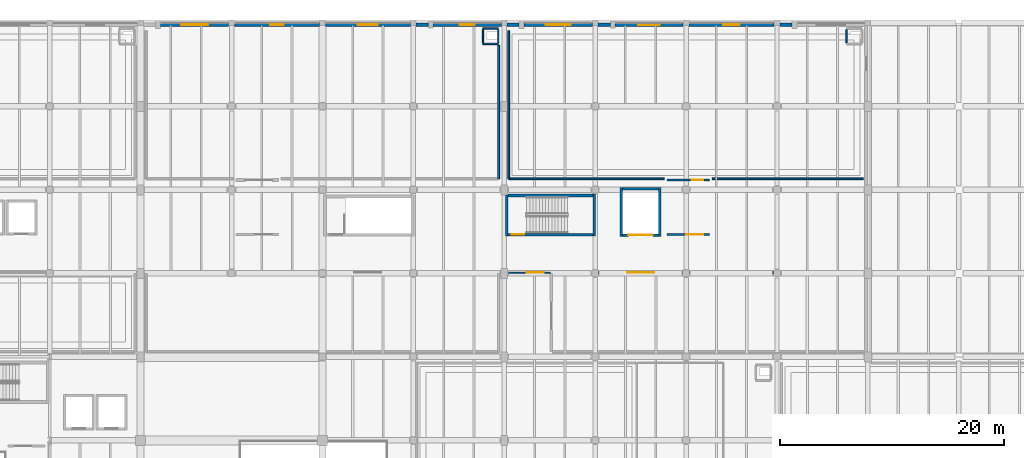
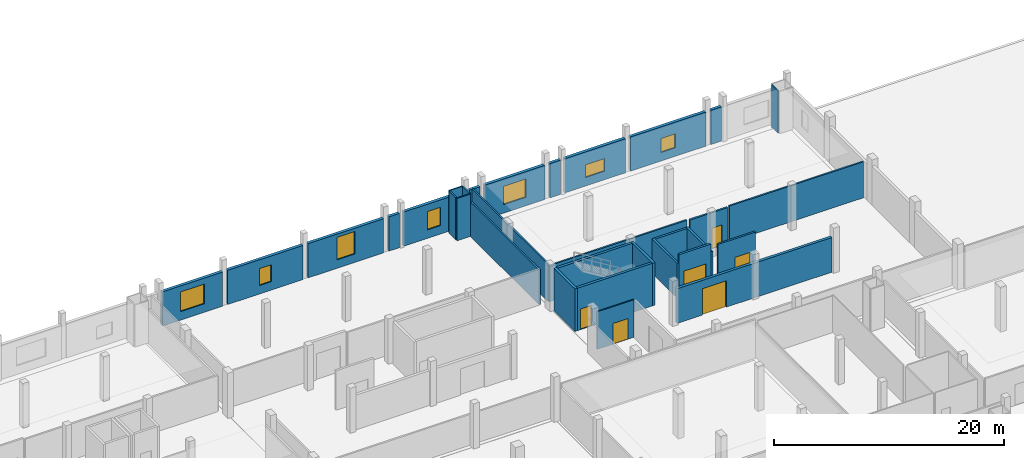
# One storey, part 94 of 104: 32 walls, 7 windows, 6 doors, 13 openings.
"""IFC4 building model written with IfcOpenShell, lengths in metres."""

from ifc_helpers import new_model, si_unit, direction, frame, frame_2d, origin, place, context, subcontext, project, spatial, rectangle, extrude, material, layer, layer_set, type_object, element, fill, save


model = new_model("IFC4")

# Units and contexts
model_context = context("Model", 3, precision=1e-05, world=origin(), true_north=direction((0.0, 1.0)))
body_context = subcontext(model_context, "Body", "Model", "MODEL_VIEW")
ifc_project = project(units=[si_unit("LENGTHUNIT", "METRE"), si_unit("AREAUNIT", "SQUARE_METRE"), si_unit("VOLUMEUNIT", "CUBIC_METRE"), si_unit("PLANEANGLEUNIT", "RADIAN"), si_unit("MASSUNIT", "GRAM", prefix="KILO")], contexts=[model_context])

# Site, building, storey
site_placement = place(None, origin())
site = spatial("IfcSite", under=ifc_project, at=site_placement, CompositionType="ELEMENT")
building_placement = place(site_placement, origin())
building = spatial("IfcBuilding", under=site, at=building_placement, Name="Kaelora Sail Theatre", CompositionType="ELEMENT")
storey_placement = place(building_placement, frame((0.0, 0.0, 5.39990234375)))
storey = spatial("IfcBuildingStorey", under=building, at=storey_placement, Name="L01", CompositionType="ELEMENT", Elevation=5.39990234375)

# Wall, opening, door
ifc_material_1 = material(Name="Concrete C40/50", Category="concrete")
ifc_layer_1 = layer(ifc_material_1, 0.25)
ifc_layer_set_1 = layer_set([ifc_layer_1], Name="Concrete C40/50")
wall_type_1 = type_object("IfcWallType", Name="ARC-WL-CW-250", PredefinedType="SHEAR", material=ifc_layer_set_1)
wall_1_placement = place(storey_placement, frame((99.054931640625, 94.22509765625, 0.0), z_axis=(0.0, 0.0, 1.0), x_axis=(1.0, 0.0, 0.0)))
wall_1 = element("IfcWall", 1, at=wall_1_placement, inside=storey, type_object=wall_type_1, Name="Stair shaft ST-K4 wall L01-S", PredefinedType="SHEAR", context=body_context, shape_type="SweptSolid", body=[
    extrude(rectangle(XDim=7.5400390625, YDim=0.25, at=frame_2d((3.77001953125, 0.0))), origin(), (0.0, 0.0, 1.0), 4.525146484375),
])
opening_1_placement = place(wall_1_placement, frame((0.320068359375, 0.0, 0.0)))
opening_1 = element("IfcOpeningElement", 2, at=opening_1_placement, cuts=wall_1, Name="Opening FD-02", PredefinedType="OPENING", context=body_context, shape_type="SweptSolid", body=[
    extrude(rectangle(XDim=1.10009765625, YDim=2.199951171875, at=frame_2d((0.550048828125, 1.10009765625))), frame((0.0, 0.135, 0.0), z_axis=(0.0, -1.0, 0.0), x_axis=(1.0, 0.0, 0.0)), (0.0, 0.0, 1.0), 0.27),
])
ifc_material_2 = material(Name="Acoustic steel single stair/lobby fire door EI 90-C", Category="steel")
door_type_1 = type_object("IfcDoorType", Name="ARC-DR-FD-02", OperationType="NOTDEFINED", PredefinedType="DOOR", material=ifc_material_2)
door_1_placement = place(opening_1_placement, origin())
door_1 = element("IfcDoor", 3, at=door_1_placement, inside=storey, type_object=door_type_1, Name="Stair ST-K4 door (L01)", OperationType="SINGLE_SWING_RIGHT", OverallHeight=2.199951171875, OverallWidth=1.10009765625, PredefinedType="DOOR", context=body_context, shape_type="SweptSolid", body=[
    extrude(rectangle(XDim=1.10009765625, YDim=2.199951171875, at=frame_2d((0.550048828125, 1.10009765625))), frame((0.0, 0.02490234375, 0.0), z_axis=(0.0, -1.0, 0.0), x_axis=(1.0, 0.0, 0.0)), (0.0, 0.0, 1.0), 0.050048828125),
])
fill(opening_1, door_1)

# Walls
wall_2_placement = place(storey_placement, frame((99.054931640625, 97.72509765625, 0.0), z_axis=(0.0, 0.0, 1.0), x_axis=(1.0, 0.0, 0.0)))
element("IfcWall", 4, at=wall_2_placement, inside=storey, type_object=wall_type_1, Name="Stair shaft ST-K4 wall L01-N", PredefinedType="SHEAR", context=body_context, shape_type="SweptSolid", body=[
    extrude(rectangle(XDim=7.5400390625, YDim=0.25, at=frame_2d((3.77001953125, 0.0))), origin(), (0.0, 0.0, 1.0), 4.525146484375),
])
wall_3_placement = place(storey_placement, frame((98.925048828125, 94.10009765625, 0.0), z_axis=(0.0, 0.0, 1.0), x_axis=(0.0, 1.0, 0.0)))
element("IfcWall", 5, at=wall_3_placement, inside=storey, type_object=wall_type_1, Name="Stair shaft ST-K4 wall L01-W", PredefinedType="SHEAR", context=body_context, shape_type="SweptSolid", body=[
    extrude(rectangle(XDim=3.664794921875, YDim=0.25, at=frame_2d((1.83251953125, 0.0))), origin(), (0.0, 0.0, 1.0), 4.525146484375),
])
wall_4_placement = place(storey_placement, frame((106.72509765625, 94.10009765625, 0.0), z_axis=(0.0, 0.0, 1.0), x_axis=(0.0, 1.0, 0.0)))
element("IfcWall", 6, at=wall_4_placement, inside=storey, type_object=wall_type_1, Name="Stair shaft ST-K4 wall L01-E", PredefinedType="SHEAR", context=body_context, shape_type="SweptSolid", body=[
    extrude(rectangle(XDim=3.75, YDim=0.25, at=frame_2d((1.875, 0.0))), origin(), (0.0, 0.0, 1.0), 4.525146484375),
])

# Wall, opening, window
ifc_material_3 = material(Name="Concrete C40/50", Category="concrete")
ifc_layer_2 = layer(ifc_material_3, 0.300048828125)
ifc_layer_set_2 = layer_set([ifc_layer_2], Name="Concrete C40/50")
wall_type_2 = type_object("IfcWallType", Name="ARC-WL-EW-300", PredefinedType="SOLIDWALL", material=ifc_layer_set_2)
wall_5_placement = place(storey_placement, frame((68.080078125, 112.919921875, 0.0), z_axis=(0.0, 0.0, 1.0), x_axis=(1.0, 0.0, 0.0)))
wall_5 = element("IfcWall", 7, at=wall_5_placement, inside=storey, type_object=wall_type_2, Name="North Conservatory/Production Facade Wall L01 B09", PredefinedType="SOLIDWALL", context=body_context, shape_type="SweptSolid", body=[
    extrude(rectangle(XDim=6.06494140625, YDim=0.300048828125, at=frame_2d((3.032470703125, 0.0))), origin(), (0.0, 0.0, 1.0), 3.63720703125),
])
opening_2_placement = place(wall_5_placement, frame((1.83203125, 0.0, 0.89990234375)))
opening_2 = element("IfcOpeningElement", 8, at=opening_2_placement, cuts=wall_5, Name="Opening W-02", PredefinedType="OPENING", context=body_context, shape_type="SweptSolid", body=[
    extrude(rectangle(XDim=2.39990234375, YDim=2.10009765625, at=frame_2d((1.199951171875, 1.050048828125))), frame((0.0, 0.159902, 0.0), z_axis=(0.0, -1.0, 0.0), x_axis=(1.0, 0.0, 0.0)), (0.0, 0.0, 1.0), 0.320049),
])
ifc_material_4 = material(Name="Thermally broken aluminium and low-E double glazing", Category="aluminium")
window_type_1 = type_object("IfcWindowType", Name="ARC-WIN-W-02", PartitioningType="SINGLE_PANEL", PredefinedType="WINDOW", material=ifc_material_4)
window_1_placement = place(opening_2_placement, origin())
window_1 = element("IfcWindow", 9, at=window_1_placement, inside=storey, type_object=window_type_1, Name="North facade window L01 B09", OverallHeight=2.10009765625, OverallWidth=2.39990234375, PartitioningType="SINGLE_PANEL", PredefinedType="WINDOW", context=body_context, shape_type="SweptSolid", body=[
    extrude(rectangle(XDim=2.39990234375, YDim=2.10009765625, at=frame_2d((1.199951171875, 1.050048828125))), frame((0.0, 0.030029296875, 0.0), z_axis=(0.0, -1.0, 0.0), x_axis=(1.0, 0.0, 0.0)), (0.0, 0.0, 1.0), 0.06005859375),
])
fill(opening_2, window_1)

wall_6_placement = place(storey_placement, frame((74.655029296875, 112.919921875, 0.0), z_axis=(0.0, 0.0, 1.0), x_axis=(1.0, 0.0, 0.0)))
wall_6 = element("IfcWall", 10, at=wall_6_placement, inside=storey, type_object=wall_type_2, Name="North Conservatory/Production Facade Wall L01 B10", PredefinedType="SOLIDWALL", context=body_context, shape_type="SweptSolid", body=[
    extrude(rectangle(XDim=7.590087890625, YDim=0.300048828125, at=frame_2d((3.794921875, 0.0))), origin(), (0.0, 0.0, 1.0), 3.63720703125),
])
opening_3_placement = place(wall_6_placement, frame((3.195068359375, 0.0, 0.89990234375)))
opening_3 = element("IfcOpeningElement", 11, at=opening_3_placement, cuts=wall_6, Name="Opening W-05", PredefinedType="OPENING", context=body_context, shape_type="SweptSolid", body=[
    extrude(rectangle(XDim=1.199951171875, YDim=1.800048828125, at=frame_2d((0.60009765625, 0.89990234375))), frame((0.0, 0.159902, 0.0), z_axis=(0.0, -1.0, 0.0), x_axis=(1.0, 0.0, 0.0)), (0.0, 0.0, 1.0), 0.320049),
])
ifc_material_5 = material(Name="Thermally broken aluminium and low-E double glazing", Category="aluminium")
window_type_2 = type_object("IfcWindowType", Name="ARC-WIN-W-05", PartitioningType="SINGLE_PANEL", PredefinedType="WINDOW", material=ifc_material_5)
window_2_placement = place(opening_3_placement, origin())
window_2 = element("IfcWindow", 12, at=window_2_placement, inside=storey, type_object=window_type_2, Name="North facade window L01 B10", OverallHeight=1.800048828125, OverallWidth=1.199951171875, PartitioningType="SINGLE_PANEL", PredefinedType="WINDOW", context=body_context, shape_type="SweptSolid", body=[
    extrude(rectangle(XDim=1.199951171875, YDim=1.800048828125, at=frame_2d((0.60009765625, 0.89990234375))), frame((0.0, 0.030029296875, 0.0), z_axis=(0.0, -1.0, 0.0), x_axis=(1.0, 0.0, 0.0)), (0.0, 0.0, 1.0), 0.06005859375),
])
fill(opening_3, window_2)

wall_7_placement = place(storey_placement, frame((82.7548828125, 112.919921875, 0.0), z_axis=(0.0, 0.0, 1.0), x_axis=(1.0, 0.0, 0.0)))
wall_7 = element("IfcWall", 13, at=wall_7_placement, inside=storey, type_object=wall_type_2, Name="North Conservatory/Production Facade Wall L01 B11", PredefinedType="SOLIDWALL", context=body_context, shape_type="SweptSolid", body=[
    extrude(rectangle(XDim=7.590087890625, YDim=0.300048828125, at=frame_2d((3.794921875, 0.0))), origin(), (0.0, 0.0, 1.0), 3.63720703125),
])
opening_4_placement = place(wall_7_placement, frame((2.89501953125, 0.0, 0.89990234375)))
opening_4 = element("IfcOpeningElement", 14, at=opening_4_placement, cuts=wall_7, Name="Opening W-08", PredefinedType="OPENING", context=body_context, shape_type="SweptSolid", body=[
    extrude(rectangle(XDim=1.800048828125, YDim=2.39990234375, at=frame_2d((0.89990234375, 1.199951171875))), frame((0.0, 0.159902, 0.0), z_axis=(0.0, -1.0, 0.0), x_axis=(1.0, 0.0, 0.0)), (0.0, 0.0, 1.0), 0.320049),
])
ifc_material_6 = material(Name="Thermally broken aluminium and low-E double glazing", Category="aluminium")
window_type_3 = type_object("IfcWindowType", Name="ARC-WIN-W-08", PartitioningType="SINGLE_PANEL", PredefinedType="WINDOW", material=ifc_material_6)
window_3_placement = place(opening_4_placement, origin())
window_3 = element("IfcWindow", 15, at=window_3_placement, inside=storey, type_object=window_type_3, Name="North facade window L01 B11", OverallHeight=2.39990234375, OverallWidth=1.800048828125, PartitioningType="SINGLE_PANEL", PredefinedType="WINDOW", context=body_context, shape_type="SweptSolid", body=[
    extrude(rectangle(XDim=1.800048828125, YDim=2.39990234375, at=frame_2d((0.89990234375, 1.199951171875))), frame((0.0, 0.030029296875, 0.0), z_axis=(0.0, -1.0, 0.0), x_axis=(1.0, 0.0, 0.0)), (0.0, 0.0, 1.0), 0.06005859375),
])
fill(opening_4, window_3)

wall_8_placement = place(storey_placement, frame((92.35498046875, 112.919921875, 0.0), z_axis=(0.0, 0.0, 1.0), x_axis=(1.0, 0.0, 0.0)))
wall_8 = element("IfcWall", 16, at=wall_8_placement, inside=storey, type_object=wall_type_2, Name="North Conservatory/Production Facade Wall L01 B12", PredefinedType="SOLIDWALL", context=body_context, shape_type="SweptSolid", body=[
    extrude(rectangle(XDim=6.090087890625, YDim=0.300048828125, at=frame_2d((3.044921875, 0.0))), origin(), (0.0, 0.0, 1.0), 3.63720703125),
])
opening_5_placement = place(wall_8_placement, frame((2.3701171875, 0.0, 0.89990234375)))
opening_5 = element("IfcOpeningElement", 17, at=opening_5_placement, cuts=wall_8, Name="Opening W-13", PredefinedType="OPENING", context=body_context, shape_type="SweptSolid", body=[
    extrude(rectangle(XDim=1.35009765625, YDim=1.949951171875, at=frame_2d((0.675048828125, 0.97509765625))), frame((0.0, 0.159902, 0.0), z_axis=(0.0, -1.0, 0.0), x_axis=(1.0, 0.0, 0.0)), (0.0, 0.0, 1.0), 0.320049),
])
ifc_material_7 = material(Name="Thermally broken aluminium and low-E double glazing", Category="aluminium")
window_type_4 = type_object("IfcWindowType", Name="ARC-WIN-W-13", PartitioningType="SINGLE_PANEL", PredefinedType="WINDOW", material=ifc_material_7)
window_4_placement = place(opening_5_placement, origin())
window_4 = element("IfcWindow", 18, at=window_4_placement, inside=storey, type_object=window_type_4, Name="North facade window L01 B12", OverallHeight=1.949951171875, OverallWidth=1.35009765625, PartitioningType="SINGLE_PANEL", PredefinedType="WINDOW", context=body_context, shape_type="SweptSolid", body=[
    extrude(rectangle(XDim=1.35009765625, YDim=1.949951171875, at=frame_2d((0.675048828125, 0.97509765625))), frame((0.0, 0.030029296875, 0.0), z_axis=(0.0, -1.0, 0.0), x_axis=(1.0, 0.0, 0.0)), (0.0, 0.0, 1.0), 0.06005859375),
])
fill(opening_5, window_4)

# Wall
wall_9_placement = place(storey_placement, frame((90.85498046875, 112.919921875, 0.0), z_axis=(0.0, 0.0, 1.0), x_axis=(1.0, 0.0, 0.0)))
element("IfcWall", 19, at=wall_9_placement, inside=storey, type_object=wall_type_2, Name="North Facade Pilaster Spandrel Pier L01 B12", PredefinedType="SOLIDWALL", context=body_context, shape_type="SweptSolid", body=[
    extrude(rectangle(XDim=1.090087890625, YDim=0.300048828125, at=frame_2d((0.544921875, 0.0))), origin(), (0.0, 0.0, 1.0), 3.63720703125),
])

# Wall, opening, window
wall_10_placement = place(storey_placement, frame((100.47998046875, 112.919921875, 0.0), z_axis=(0.0, 0.0, 1.0), x_axis=(1.0, 0.0, 0.0)))
wall_10 = element("IfcWall", 20, at=wall_10_placement, inside=storey, type_object=wall_type_2, Name="North Conservatory/Production Facade Wall L01 B13", PredefinedType="SOLIDWALL", context=body_context, shape_type="SweptSolid", body=[
    extrude(rectangle(XDim=6.06494140625, YDim=0.300048828125, at=frame_2d((3.032470703125, 0.0))), origin(), (0.0, 0.0, 1.0), 3.63720703125),
])
opening_6_placement = place(wall_10_placement, frame((1.906982421875, 0.0, 0.89990234375)))
opening_6 = element("IfcOpeningElement", 21, at=opening_6_placement, cuts=wall_10, Name="Opening W-16", PredefinedType="OPENING", context=body_context, shape_type="SweptSolid", body=[
    extrude(rectangle(XDim=2.25, YDim=1.949951171875, at=frame_2d((1.125, 0.97509765625))), frame((0.0, 0.159902, 0.0), z_axis=(0.0, -1.0, 0.0), x_axis=(1.0, 0.0, 0.0)), (0.0, 0.0, 1.0), 0.320049),
])
ifc_material_8 = material(Name="Thermally broken aluminium and low-E double glazing", Category="aluminium")
window_type_5 = type_object("IfcWindowType", Name="ARC-WIN-W-16", PartitioningType="SINGLE_PANEL", PredefinedType="WINDOW", material=ifc_material_8)
window_5_placement = place(opening_6_placement, origin())
window_5 = element("IfcWindow", 22, at=window_5_placement, inside=storey, type_object=window_type_5, Name="North facade window L01 B13", OverallHeight=1.949951171875, OverallWidth=2.25, PartitioningType="SINGLE_PANEL", PredefinedType="WINDOW", context=body_context, shape_type="SweptSolid", body=[
    extrude(rectangle(XDim=2.25, YDim=1.949951171875, at=frame_2d((1.125, 0.97509765625))), frame((0.0, 0.030029296875, 0.0), z_axis=(0.0, -1.0, 0.0), x_axis=(1.0, 0.0, 0.0)), (0.0, 0.0, 1.0), 0.06005859375),
])
fill(opening_6, window_5)

# Wall
wall_11_placement = place(storey_placement, frame((98.955078125, 112.919921875, 0.0), z_axis=(0.0, 0.0, 1.0), x_axis=(1.0, 0.0, 0.0)))
element("IfcWall", 23, at=wall_11_placement, inside=storey, type_object=wall_type_2, Name="North Facade Pilaster Spandrel Pier L01 B13", PredefinedType="SOLIDWALL", context=body_context, shape_type="SweptSolid", body=[
    extrude(rectangle(XDim=1.06494140625, YDim=0.300048828125, at=frame_2d((0.532470703125, 0.0))), origin(), (0.0, 0.0, 1.0), 3.63720703125),
])

# Wall, opening, window
wall_12_placement = place(storey_placement, frame((108.554931640625, 112.919921875, 0.0), z_axis=(0.0, 0.0, 1.0), x_axis=(1.0, 0.0, 0.0)))
wall_12 = element("IfcWall", 24, at=wall_12_placement, inside=storey, type_object=wall_type_2, Name="North Conservatory/Production Facade Wall L01 B14", PredefinedType="SOLIDWALL", context=body_context, shape_type="SweptSolid", body=[
    extrude(rectangle(XDim=6.090087890625, YDim=0.300048828125, at=frame_2d((3.044921875, 0.0))), origin(), (0.0, 0.0, 1.0), 3.63720703125),
])
opening_7_placement = place(wall_12_placement, frame((2.094970703125, 0.0, 0.89990234375)))
opening_7 = element("IfcOpeningElement", 25, at=opening_7_placement, cuts=wall_12, Name="Opening W-19", PredefinedType="OPENING", context=body_context, shape_type="SweptSolid", body=[
    extrude(rectangle(XDim=1.89990234375, YDim=1.35009765625, at=frame_2d((0.949951171875, 0.675048828125))), frame((0.0, 0.159902, 0.0), z_axis=(0.0, -1.0, 0.0), x_axis=(1.0, 0.0, 0.0)), (0.0, 0.0, 1.0), 0.320049),
])
ifc_material_9 = material(Name="Thermally broken aluminium and low-E double glazing", Category="aluminium")
window_type_6 = type_object("IfcWindowType", Name="ARC-WIN-W-19", PartitioningType="SINGLE_PANEL", PredefinedType="WINDOW", material=ifc_material_9)
window_6_placement = place(opening_7_placement, origin())
window_6 = element("IfcWindow", 26, at=window_6_placement, inside=storey, type_object=window_type_6, Name="North facade window L01 B14", OverallHeight=1.35009765625, OverallWidth=1.89990234375, PartitioningType="SINGLE_PANEL", PredefinedType="WINDOW", context=body_context, shape_type="SweptSolid", body=[
    extrude(rectangle(XDim=1.89990234375, YDim=1.35009765625, at=frame_2d((0.949951171875, 0.675048828125))), frame((0.0, 0.030029296875, 0.0), z_axis=(0.0, -1.0, 0.0), x_axis=(1.0, 0.0, 0.0)), (0.0, 0.0, 1.0), 0.06005859375),
])
fill(opening_7, window_6)

# Wall
wall_13_placement = place(storey_placement, frame((107.054931640625, 112.919921875, 0.0), z_axis=(0.0, 0.0, 1.0), x_axis=(1.0, 0.0, 0.0)))
element("IfcWall", 27, at=wall_13_placement, inside=storey, type_object=wall_type_2, Name="North Facade Pilaster Spandrel Pier L01 B14", PredefinedType="SOLIDWALL", context=body_context, shape_type="SweptSolid", body=[
    extrude(rectangle(XDim=1.090087890625, YDim=0.300048828125, at=frame_2d((0.544921875, 0.0))), origin(), (0.0, 0.0, 1.0), 3.63720703125),
])

# Wall, opening, window
wall_14_placement = place(storey_placement, frame((115.155029296875, 112.919921875, 0.0), z_axis=(0.0, 0.0, 1.0), x_axis=(1.0, 0.0, 0.0)))
wall_14 = element("IfcWall", 28, at=wall_14_placement, inside=storey, type_object=wall_type_2, Name="North Conservatory/Production Facade Wall L01 B15", PredefinedType="SOLIDWALL", context=body_context, shape_type="SweptSolid", body=[
    extrude(rectangle(XDim=7.590087890625, YDim=0.300048828125, at=frame_2d((3.794921875, 0.0))), origin(), (0.0, 0.0, 1.0), 3.63720703125),
])
opening_8_placement = place(wall_14_placement, frame((3.070068359375, 0.0, 0.89990234375)))
opening_8 = element("IfcOpeningElement", 29, at=opening_8_placement, cuts=wall_14, Name="Opening W-22", PredefinedType="OPENING", context=body_context, shape_type="SweptSolid", body=[
    extrude(rectangle(XDim=1.449951171875, YDim=1.5, at=frame_2d((0.72509765625, 0.75))), frame((0.0, 0.159902, 0.0), z_axis=(0.0, -1.0, 0.0), x_axis=(1.0, 0.0, 0.0)), (0.0, 0.0, 1.0), 0.320049),
])
ifc_material_10 = material(Name="Thermally broken aluminium and low-E double glazing", Category="aluminium")
window_type_7 = type_object("IfcWindowType", Name="ARC-WIN-W-22", PartitioningType="SINGLE_PANEL", PredefinedType="WINDOW", material=ifc_material_10)
window_7_placement = place(opening_8_placement, origin())
window_7 = element("IfcWindow", 30, at=window_7_placement, inside=storey, type_object=window_type_7, Name="North facade window L01 B15", OverallHeight=1.5, OverallWidth=1.449951171875, PartitioningType="SINGLE_PANEL", PredefinedType="WINDOW", context=body_context, shape_type="SweptSolid", body=[
    extrude(rectangle(XDim=1.449951171875, YDim=1.5, at=frame_2d((0.72509765625, 0.75))), frame((0.0, 0.030029296875, 0.0), z_axis=(0.0, -1.0, 0.0), x_axis=(1.0, 0.0, 0.0)), (0.0, 0.0, 1.0), 0.06005859375),
])
fill(opening_8, window_7)

# Walls
wall_15_placement = place(storey_placement, frame((123.2548828125, 112.919921875, 0.0), z_axis=(0.0, 0.0, 1.0), x_axis=(1.0, 0.0, 0.0)))
element("IfcWall", 31, at=wall_15_placement, inside=storey, type_object=wall_type_2, Name="North Facade Pilaster Spandrel Pier L01 B16", PredefinedType="SOLIDWALL", context=body_context, shape_type="SweptSolid", body=[
    extrude(rectangle(XDim=1.065185546875, YDim=0.300048828125, at=frame_2d((0.53271484375, 0.0))), origin(), (0.0, 0.0, 1.0), 3.63720703125),
])
ifc_material_11 = material(Name="Standard metal-stud partition 120 mm", Category="gypsum")
ifc_layer_3 = layer(ifc_material_11, 0.1201171875)
ifc_layer_set_3 = layer_set([ifc_layer_3], Name="Standard metal-stud partition 120 mm")
wall_type_3 = type_object("IfcWallType", Name="ARC-WL-PT-120", PredefinedType="PARTITIONING", material=ifc_layer_set_3)
for number, where, z_axis, x_axis, name in (
    (32, (96.804931640625, 111.219970703125, 0.0), (0.0, 0.0, 1.0), (1.0, 0.0, 0.0), "MEP riser shaft wall NW3-L01-S"),
    (33, (96.804931640625, 112.580078125, 0.0), (0.0, 0.0, 1.0), (1.0, 0.0, 0.0), "MEP riser shaft wall NW3-L01-N"),
):
    element("IfcWall", number, at=place(storey_placement, frame(where, z_axis=z_axis, x_axis=x_axis)), inside=storey, type_object=wall_type_3, Name=name, PredefinedType="PARTITIONING", context=body_context, shape_type="SweptSolid", body=[
        extrude(rectangle(XDim=1.360107421875, YDim=0.1201171875, at=frame_2d((0.68017578125, 0.0))), origin(), (0.0, 0.0, 1.0), 4.505126953125),
    ])
for number, where, z_axis, x_axis, name in (
    (34, (96.804931640625, 111.340087890625, 0.0), (0.0, 0.0, 1.0), (0.0, 1.0, 0.0), "MEP riser shaft wall NW3-L01-W"),
    (35, (98.1650390625, 111.340087890625, 0.0), (0.0, 0.0, 1.0), (0.0, 1.0, 0.0), "MEP riser shaft wall NW3-L01-E"),
    (36, (129.205078125, 111.340087890625, 0.0), (0.0, 0.0, 1.0), (0.0, 1.0, 0.0), "MEP riser shaft wall NW4-L01-W"),
):
    element("IfcWall", number, at=place(storey_placement, frame(where, z_axis=z_axis, x_axis=x_axis)), inside=storey, type_object=wall_type_3, Name=name, PredefinedType="PARTITIONING", context=body_context, shape_type="SweptSolid", body=[
        extrude(rectangle(XDim=1.119873046875, YDim=0.1201171875, at=frame_2d((0.56005859375, 0.0))), origin(), (0.0, 0.0, 1.0), 4.505126953125),
    ])

# Wall, opening, door
ifc_material_12 = material(Name="Dressing room acoustic partition 130 mm", Category="gypsum")
ifc_layer_4 = layer(ifc_material_12, 0.1298828125)
ifc_layer_set_4 = layer_set([ifc_layer_4], Name="Dressing room acoustic partition 130 mm")
wall_type_4 = type_object("IfcWallType", Name="ARC-WL-PT-130", PredefinedType="PARTITIONING", material=ifc_layer_set_4)
wall_16_placement = place(storey_placement, frame((99.10009765625, 90.85009765625, 0.0), z_axis=(0.0, 0.0, 1.0), x_axis=(1.0, 0.0, 0.0)))
wall_16 = element("IfcWall", 37, at=wall_16_placement, inside=storey, type_object=wall_type_4, Name="Interior acoustic partition L01-COR-NLINKC/L01-COR-BOH", PredefinedType="PARTITIONING", context=body_context, shape_type="SweptSolid", body=[
    extrude(rectangle(XDim=3.699951171875, YDim=0.1298828125, at=frame_2d((1.85009765625, 0.0))), origin(), (0.0, 0.0, 1.0), 3.987060546875),
])
opening_9_placement = place(wall_16_placement, frame((1.6201171875, 0.0, 0.0)))
opening_9 = element("IfcOpeningElement", 38, at=opening_9_placement, cuts=wall_16, Name="Opening FD-01", PredefinedType="OPENING", context=body_context, shape_type="SweptSolid", body=[
    extrude(rectangle(XDim=1.5, YDim=2.199951171875, at=frame_2d((0.75, 1.10009765625))), frame((0.0, 0.074941, 0.0), z_axis=(0.0, -1.0, 0.0), x_axis=(1.0, 0.0, 0.0)), (0.0, 0.0, 1.0), 0.149883),
])
ifc_material_13 = material(Name="Acoustic steel double fire door EI 90-C", Category="steel")
door_type_2 = type_object("IfcDoorType", Name="ARC-DR-FD-01", OperationType="NOTDEFINED", PredefinedType="DOOR", material=ifc_material_13)
door_2_placement = place(opening_9_placement, origin())
door_2 = element("IfcDoor", 39, at=door_2_placement, inside=storey, type_object=door_type_2, Name="Interior door L01-COR-NLINKC to L01-COR-BOH", OperationType="DOUBLE_DOOR_SINGLE_SWING", OverallHeight=2.199951171875, OverallWidth=1.5, PredefinedType="DOOR", context=body_context, shape_type="SweptSolid", body=[
    extrude(rectangle(XDim=1.5, YDim=2.199951171875, at=frame_2d((0.75, 1.10009765625))), frame((0.0, 0.02490234375, 0.0), z_axis=(0.0, -1.0, 0.0), x_axis=(1.0, 0.0, 0.0)), (0.0, 0.0, 1.0), 0.050048828125),
])
fill(opening_9, door_2)

# Walls
ifc_material_14 = material(Name="Acoustic metal-stud plasterboard 160 mm", Category="gypsum")
ifc_layer_5 = layer(ifc_material_14, 0.159912109375)
ifc_layer_set_5 = layer_set([ifc_layer_5], Name="Acoustic metal-stud plasterboard 160 mm")
wall_type_5 = type_object("IfcWallType", Name="ARC-WL-PT-160", PredefinedType="PARTITIONING", material=ifc_layer_set_5)
wall_17_placement = place(storey_placement, frame((98.199951171875, 99.199951171875, 0.0), z_axis=(0.0, 0.0, 1.0), x_axis=(0.0, 1.0, 0.0)))
element("IfcWall", 40, at=wall_17_placement, inside=storey, type_object=wall_type_5, Name="Room enclosure wall L01-WARDROBE-E1", PredefinedType="PARTITIONING", context=body_context, shape_type="SweptSolid", body=[
    extrude(rectangle(XDim=11.89013671875, YDim=0.159912109375, at=frame_2d((5.945068359375, 0.0))), origin(), (0.0, 0.0, 1.0), 3.68701171875),
])
wall_18_placement = place(storey_placement, frame((99.10009765625, 99.199951171875, 0.0), z_axis=(0.0, 0.0, 1.0), x_axis=(1.0, 0.0, 0.0)))
element("IfcWall", 41, at=wall_18_placement, inside=storey, type_object=wall_type_5, Name="Room enclosure wall L01-CHAMBER-ST-S1", PredefinedType="PARTITIONING", context=body_context, shape_type="SweptSolid", body=[
    extrude(rectangle(XDim=13.849853515625, YDim=0.159912109375, at=frame_2d((6.9248046875, 0.0))), origin(), (0.0, 0.0, 1.0), 3.837158203125),
])
wall_19_placement = place(storey_placement, frame((117.25, 99.199951171875, 0.0), z_axis=(0.0, 0.0, 1.0), x_axis=(1.0, 0.0, 0.0)))
element("IfcWall", 42, at=wall_19_placement, inside=storey, type_object=wall_type_5, Name="Room enclosure wall L01-CHAMBER-ST-S2", PredefinedType="PARTITIONING", context=body_context, shape_type="SweptSolid", body=[
    extrude(rectangle(XDim=13.449951171875, YDim=0.159912109375, at=frame_2d((6.72509765625, 0.0))), origin(), (0.0, 0.0, 1.0), 3.837158203125),
])
wall_20_placement = place(storey_placement, frame((99.10009765625, 99.199951171875, 0.0), z_axis=(0.0, 0.0, 1.0), x_axis=(0.0, 1.0, 0.0)))
element("IfcWall", 43, at=wall_20_placement, inside=storey, type_object=wall_type_5, Name="Room enclosure wall L01-CHAMBER-ST-W1", PredefinedType="PARTITIONING", context=body_context, shape_type="SweptSolid", body=[
    extrude(rectangle(XDim=13.199951171875, YDim=0.159912109375, at=frame_2d((6.60009765625, 0.0))), origin(), (0.0, 0.0, 1.0), 3.987060546875),
])

# Wall, opening, door
ifc_material_15 = material(Name="Rehearsal double-stud partition 185 mm", Category="gypsum")
ifc_layer_6 = layer(ifc_material_15, 0.18505859375)
ifc_layer_set_6 = layer_set([ifc_layer_6], Name="Rehearsal double-stud partition 185 mm")
wall_type_6 = type_object("IfcWallType", Name="ARC-WL-PT-185", PredefinedType="PARTITIONING", material=ifc_layer_set_6)
wall_21_placement = place(storey_placement, frame((113.199951171875, 94.25, 0.0), z_axis=(0.0, 0.0, 1.0), x_axis=(1.0, 0.0, 0.0)))
wall_21 = element("IfcWall", 44, at=wall_21_placement, inside=storey, type_object=wall_type_6, Name="Interior acoustic partition L01-COR-BOH/L01-COR-SP4", PredefinedType="PARTITIONING", context=body_context, shape_type="SweptSolid", body=[
    extrude(rectangle(XDim=3.800048828125, YDim=0.18505859375, at=frame_2d((1.89990234375, 0.0))), origin(), (0.0, 0.0, 1.0), 4.177001953125),
])
opening_10_placement = place(wall_21_placement, frame((1.719970703125, 0.0, 0.0)))
opening_10 = element("IfcOpeningElement", 45, at=opening_10_placement, cuts=wall_21, Name="Opening FD-01", PredefinedType="OPENING", context=body_context, shape_type="SweptSolid", body=[
    extrude(rectangle(XDim=1.5, YDim=2.199951171875, at=frame_2d((0.75, 1.10009765625))), frame((0.0, 0.102529, 0.0), z_axis=(0.0, -1.0, 0.0), x_axis=(1.0, 0.0, 0.0)), (0.0, 0.0, 1.0), 0.205059),
])
door_3_placement = place(opening_10_placement, origin())
door_3 = element("IfcDoor", 46, at=door_3_placement, inside=storey, type_object=door_type_2, Name="Interior door L01-COR-BOH to L01-COR-SP4", OperationType="DOUBLE_DOOR_SINGLE_SWING", OverallHeight=2.199951171875, OverallWidth=1.5, PredefinedType="DOOR", context=body_context, shape_type="SweptSolid", body=[
    extrude(rectangle(XDim=1.5, YDim=2.199951171875, at=frame_2d((0.75, 1.10009765625))), frame((0.0, 0.02490234375, 0.0), z_axis=(0.0, -1.0, 0.0), x_axis=(1.0, 0.0, 0.0)), (0.0, 0.0, 1.0), 0.050048828125),
])
fill(opening_10, door_3)

wall_22_placement = place(storey_placement, frame((113.199951171875, 99.10009765625, 0.0), z_axis=(0.0, 0.0, 1.0), x_axis=(1.0, 0.0, 0.0)))
wall_22 = element("IfcWall", 47, at=wall_22_placement, inside=storey, type_object=wall_type_6, Name="Interior acoustic partition L01-COR-SP4/L01-CHAMBER-ST", PredefinedType="PARTITIONING", context=body_context, shape_type="SweptSolid", body=[
    extrude(rectangle(XDim=3.800048828125, YDim=0.18505859375, at=frame_2d((1.89990234375, 0.0))), origin(), (0.0, 0.0, 1.0), 3.837158203125),
])
opening_11_placement = place(wall_22_placement, frame((2.219970703125, 0.0, 0.0)))
opening_11 = element("IfcOpeningElement", 48, at=opening_11_placement, cuts=wall_22, Name="Opening ID-01", PredefinedType="OPENING", context=body_context, shape_type="SweptSolid", body=[
    extrude(rectangle(XDim=1.0, YDim=2.199951171875, at=frame_2d((0.5, 1.10009765625))), frame((0.0, 0.102529, 0.0), z_axis=(0.0, -1.0, 0.0), x_axis=(1.0, 0.0, 0.0)), (0.0, 0.0, 1.0), 0.205059),
])
ifc_material_16 = material(Name="Solid timber acoustic studio single door", Category="wood")
door_type_3 = type_object("IfcDoorType", Name="ARC-DR-ID-01", OperationType="NOTDEFINED", PredefinedType="DOOR", material=ifc_material_16)
door_4_placement = place(opening_11_placement, origin())
door_4 = element("IfcDoor", 49, at=door_4_placement, inside=storey, type_object=door_type_3, Name="Interior door L01-COR-SP4 to L01-CHAMBER-ST", OperationType="SINGLE_SWING_RIGHT", OverallHeight=2.199951171875, OverallWidth=1.0, PredefinedType="DOOR", context=body_context, shape_type="SweptSolid", body=[
    extrude(rectangle(XDim=1.0, YDim=2.199951171875, at=frame_2d((0.5, 1.10009765625))), frame((0.0, 0.02490234375, 0.0), z_axis=(0.0, -1.0, 0.0), x_axis=(1.0, 0.0, 0.0)), (0.0, 0.0, 1.0), 0.050048828125),
])
fill(opening_11, door_4)

ifc_material_17 = material(Name="Concrete C45/55", Category="concrete")
ifc_layer_7 = layer(ifc_material_17, 0.27001953125)
ifc_layer_set_7 = layer_set([ifc_layer_7], Name="Concrete C45/55")
wall_type_7 = type_object("IfcWallType", Name="ARC-WL-PW-270", PredefinedType="SOLIDWALL", material=ifc_layer_set_7)
wall_23_placement = place(storey_placement, frame((107.10498046875, 90.85009765625, 0.0), z_axis=(0.0, 0.0, 1.0), x_axis=(1.0, 0.0, 0.0)))
wall_23 = element("IfcWall", 50, at=wall_23_placement, inside=storey, type_object=wall_type_7, Name="Interior acoustic partition L01-COR-BOH/L01-PAINT-SHOP", PredefinedType="SOLIDWALL", context=body_context, shape_type="SweptSolid", body=[
    extrude(rectangle(XDim=15.590087890625, YDim=0.27001953125, at=frame_2d((7.794921875, 0.0))), origin(), (0.0, 0.0, 1.0), 3.68701171875),
])
opening_12_placement = place(wall_23_placement, frame((2.552001953125, 0.0, 0.0)))
opening_12 = element("IfcOpeningElement", 51, at=opening_12_placement, cuts=wall_23, Name="Opening ID-05", PredefinedType="OPENING", context=body_context, shape_type="SweptSolid", body=[
    extrude(rectangle(XDim=2.39990234375, YDim=2.800048828125, at=frame_2d((1.199951171875, 1.39990234375))), frame((0.0, 0.14501, 0.0), z_axis=(0.0, -1.0, 0.0), x_axis=(1.0, 0.0, 0.0)), (0.0, 0.0, 1.0), 0.29002),
])
ifc_material_18 = material(Name="Scenery workshop oversize acoustic double door", Category="steel")
door_type_4 = type_object("IfcDoorType", Name="ARC-DR-ID-05", OperationType="NOTDEFINED", PredefinedType="DOOR", material=ifc_material_18)
door_5_placement = place(opening_12_placement, origin())
door_5 = element("IfcDoor", 52, at=door_5_placement, inside=storey, type_object=door_type_4, Name="Interior door L01-COR-BOH to L01-PAINT-SHOP", OperationType="DOUBLE_DOOR_SINGLE_SWING", OverallHeight=2.800048828125, OverallWidth=2.39990234375, PredefinedType="DOOR", context=body_context, shape_type="SweptSolid", body=[
    extrude(rectangle(XDim=2.39990234375, YDim=2.800048828125, at=frame_2d((1.199951171875, 1.39990234375))), frame((0.0, 0.02490234375, 0.0), z_axis=(0.0, -1.0, 0.0), x_axis=(1.0, 0.0, 0.0)), (0.0, 0.0, 1.0), 0.050048828125),
])
fill(opening_12, door_5)

ifc_material_19 = material(Name="Concrete C40/50", Category="concrete")
ifc_layer_8 = layer(ifc_material_19, 0.219970703125)
ifc_layer_set_8 = layer_set([ifc_layer_8], Name="Concrete C40/50")
wall_type_8 = type_object("IfcWallType", Name="ARC-WL-SW-220", PredefinedType="SOLIDWALL", material=ifc_layer_set_8)
wall_24_placement = place(storey_placement, frame((109.25, 94.18994140625, 0.0), z_axis=(0.0, 0.0, 1.0), x_axis=(1.0, 0.0, 0.0)))
wall_24 = element("IfcWall", 53, at=wall_24_placement, inside=storey, type_object=wall_type_8, Name="Lift GL-01 shaft wall L01-S", PredefinedType="SOLIDWALL", context=body_context, shape_type="SweptSolid", body=[
    extrude(rectangle(XDim=3.199951171875, YDim=0.219970703125, at=frame_2d((1.60009765625, 0.0))), origin(), (0.0, 0.0, 1.0), 4.525146484375),
])
opening_13_placement = place(wall_24_placement, frame((0.5, 0.0, 0.0)))
opening_13 = element("IfcOpeningElement", 54, at=opening_13_placement, cuts=wall_24, Name="Opening LD-GDS", PredefinedType="OPENING", context=body_context, shape_type="SweptSolid", body=[
    extrude(rectangle(XDim=2.199951171875, YDim=2.60009765625, at=frame_2d((1.10009765625, 1.300048828125))), frame((0.0, 0.119863, 0.0), z_axis=(0.0, -1.0, 0.0), x_axis=(1.0, 0.0, 0.0)), (0.0, 0.0, 1.0), 0.239971),
])
ifc_material_20 = material(Name="Heavy-duty scenery goods lift bi-parting landing door EI 120", Category="steel")
door_type_5 = type_object("IfcDoorType", Name="ARC-DR-LD-GDS", OperationType="NOTDEFINED", PredefinedType="DOOR", material=ifc_material_20)
door_6_placement = place(opening_13_placement, origin())
door_6 = element("IfcDoor", 55, at=door_6_placement, inside=storey, type_object=door_type_5, Name="Lift GL-01 sliding landing door (L01)", OperationType="SLIDING_TO_LEFT", OverallHeight=2.60009765625, OverallWidth=2.199951171875, PredefinedType="DOOR", context=body_context, shape_type="SweptSolid", body=[
    extrude(rectangle(XDim=2.199951171875, YDim=2.60009765625, at=frame_2d((1.10009765625, 1.300048828125))), frame((0.0, 0.02490234375, 0.0), z_axis=(0.0, -1.0, 0.0), x_axis=(1.0, 0.0, 0.0)), (0.0, 0.0, 1.0), 0.050048828125),
])
fill(opening_13, door_6)

# Walls
wall_25_placement = place(storey_placement, frame((109.25, 98.31005859375, 0.0), z_axis=(0.0, 0.0, 1.0), x_axis=(1.0, 0.0, 0.0)))
element("IfcWall", 56, at=wall_25_placement, inside=storey, type_object=wall_type_8, Name="Lift GL-01 shaft wall L01-N", PredefinedType="SOLIDWALL", context=body_context, shape_type="SweptSolid", body=[
    extrude(rectangle(XDim=3.199951171875, YDim=0.219970703125, at=frame_2d((1.60009765625, 0.0))), origin(), (0.0, 0.0, 1.0), 3.68701171875),
])
for number, where, z_axis, x_axis, name in (
    (57, (109.139892578125, 94.080078125, 0.0), (0.0, 0.0, 1.0), (0.0, 1.0, 0.0), "Lift GL-01 shaft wall L01-W"),
    (58, (112.56005859375, 94.080078125, 0.0), (0.0, 0.0, 1.0), (0.0, 1.0, 0.0), "Lift GL-01 shaft wall L01-E"),
):
    element("IfcWall", number, at=place(storey_placement, frame(where, z_axis=z_axis, x_axis=x_axis)), inside=storey, type_object=wall_type_8, Name=name, PredefinedType="SOLIDWALL", context=body_context, shape_type="SweptSolid", body=[
        extrude(rectangle(XDim=4.33984375, YDim=0.219970703125, at=frame_2d((2.169921875, 0.0))), origin(), (0.0, 0.0, 1.0), 3.68701171875),
    ])

save(model, "model.ifc")
